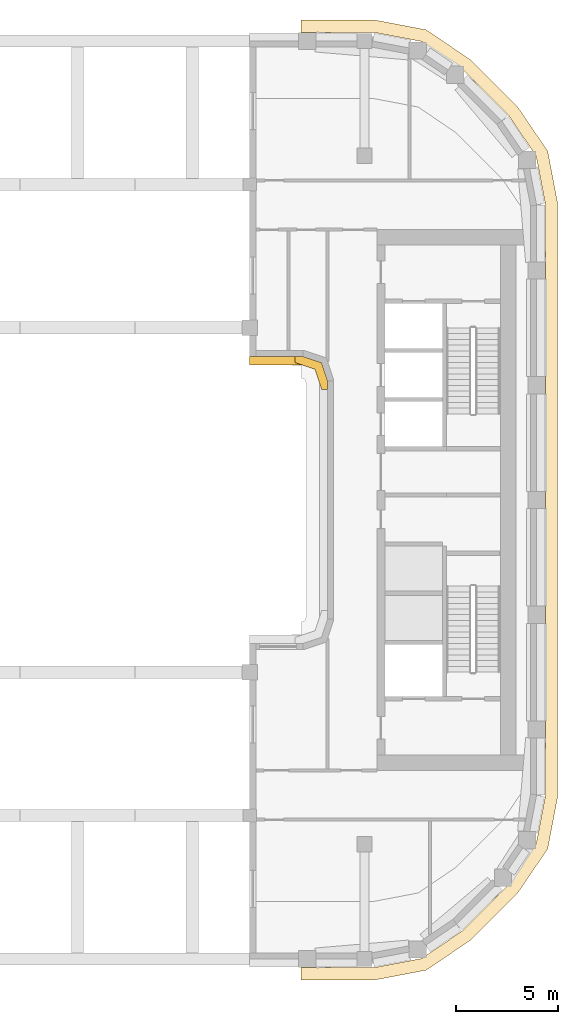
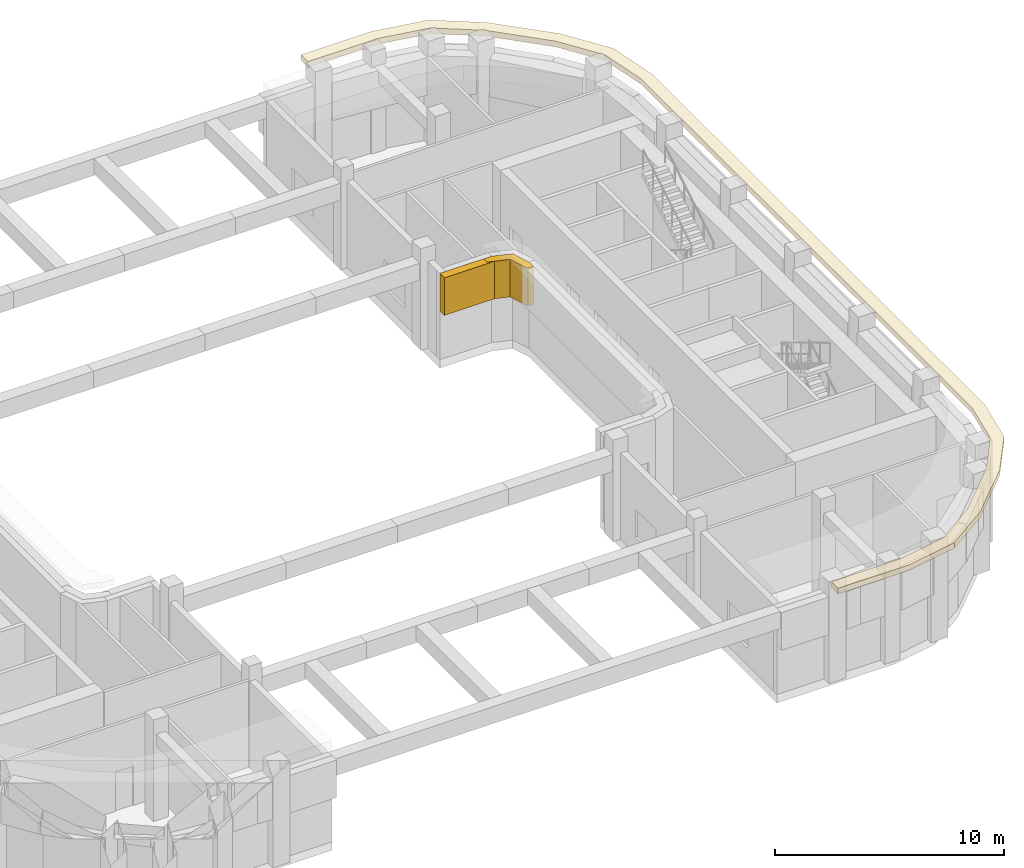
# One storey, part 11 of 13: 3 coverings.
"""IFC4 building model written with IfcOpenShell, lengths in metres."""

from ifc_helpers import new_model, si_unit, direction, frame, origin, origin_2d, place, context, subcontext, project, spatial, polyline, rectangle, outline, extrude, material, layer, layer_set, type_object, element, save


model = new_model("IFC4")

# Units and contexts
model_context = context("Model", 3, precision=1e-05, world=origin(), true_north=direction((0.0, 1.0)))
body_context = subcontext(model_context, "Body", "Model", "MODEL_VIEW")
ifc_project = project(units=[si_unit("LENGTHUNIT", "METRE"), si_unit("AREAUNIT", "SQUARE_METRE"), si_unit("VOLUMEUNIT", "CUBIC_METRE"), si_unit("PLANEANGLEUNIT", "RADIAN"), si_unit("MASSUNIT", "GRAM", prefix="KILO")], contexts=[model_context])

# Site, building, storey
site_placement = place(None, origin())
site = spatial("IfcSite", under=ifc_project, at=site_placement, CompositionType="ELEMENT")
building_placement = place(site_placement, origin())
building = spatial("IfcBuilding", under=site, at=building_placement, Name="Kiln Ring Residences", CompositionType="ELEMENT")
storey_placement = place(building_placement, frame((0.0, 0.0, 236.300048828125)))
storey = spatial("IfcBuildingStorey", under=building, at=storey_placement, Name="L61", CompositionType="ELEMENT", Elevation=236.300048828125)

# Coverings
ifc_material_1 = material(Name="Black powder-coated steel", Category="steel")
ifc_layer = layer(ifc_material_1, 0.300048828125)
ifc_layer_set = layer_set([ifc_layer], Name="SUNSHADE FIN 600")
covering_type_1 = type_object("IfcCoveringType", Name="SUNSHADE FIN 600", PredefinedType="CLADDING", material=ifc_layer_set)
covering_1_placement = place(storey_placement, frame((0.0, 0.0, 5.099853515625)))
element("IfcCovering", 1, at=covering_1_placement, inside=storey, type_object=covering_type_1, Name="SUNSHADE FIN L61", PredefinedType="CLADDING", context=body_context, shape_type="SweptSolid", body=[
    extrude(outline(polyline([(17.296875, 23.425048828125), (13.699951171875, 23.425048828125), (13.699951171875, 22.824951171875), (17.240234375, 22.824951171875), (19.59033203125, 22.376708984375), (21.569091796875, 21.031982421875), (23.831787109375, 18.769287109375), (25.1767578125, 16.790283203125), (25.625, 14.440185546875), (25.625, -14.440185546875), (25.1767578125, -16.790283203125), (23.831787109375, -18.769287109375), (21.569091796875, -21.031982421875), (19.59033203125, -22.376708984375), (17.240234375, -22.824951171875), (13.699951171875, -22.824951171875), (13.699951171875, -23.425048828125), (17.296875, -23.425048828125), (19.82470703125, -22.94287109375), (21.953369140625, -21.49609375), (24.296142578125, -19.1533203125), (25.742919921875, -17.02490234375), (26.22509765625, -14.496826171875), (26.22509765625, 14.496826171875), (25.742919921875, 17.02490234375), (24.296142578125, 19.1533203125), (21.953369140625, 21.49609375), (19.82470703125, 22.94287109375), (17.296875, 23.425048828125)])), origin(), (0.0, 0.0, 1.0), 0.300048828125),
])
ifc_material_2 = material(Name="Concrete C35/45, exposed aggregate finish", Category="concrete")
covering_type_2 = type_object("IfcCoveringType", Name="TIE BAND 2000 x 400", PredefinedType="CLADDING", material=ifc_material_2)
covering_2_placement = place(storey_placement, frame((12.5, 6.800048828125, 2.599853515625), z_axis=(0.0, 0.0, 1.0), x_axis=(1.0, 0.0, 0.0)))
element("IfcCovering", 2, at=covering_2_placement, inside=storey, type_object=covering_type_2, Name="TIE BAND L61", PredefinedType="CLADDING", context=body_context, shape_type="SweptSolid", body=[
    extrude(rectangle(XDim=2.60009765625, YDim=0.39990234375, at=origin_2d()), origin(), (0.0, 0.0, 1.0), 2.0),
])
covering_3_placement = place(storey_placement, frame((0.0, 0.0, 2.599853515625)))
element("IfcCovering", 3, at=covering_3_placement, inside=storey, type_object=covering_type_2, Name="TIE BAND L61", PredefinedType="CLADDING", context=body_context, shape_type="SweptSolid", body=[
    extrude(outline(polyline([(13.800048828125, 7.0), (13.39990234375, 7.0), (13.39990234375, 6.711669921875), (14.3837890625, 6.3837890625), (14.711669921875, 5.39990234375), (15.0, 5.39990234375), (15.0, 5.800048828125), (14.699951171875, 6.699951171875), (13.800048828125, 7.0)])), origin(), (0.0, 0.0, 1.0), 2.0),
])

save(model, "model.ifc")
